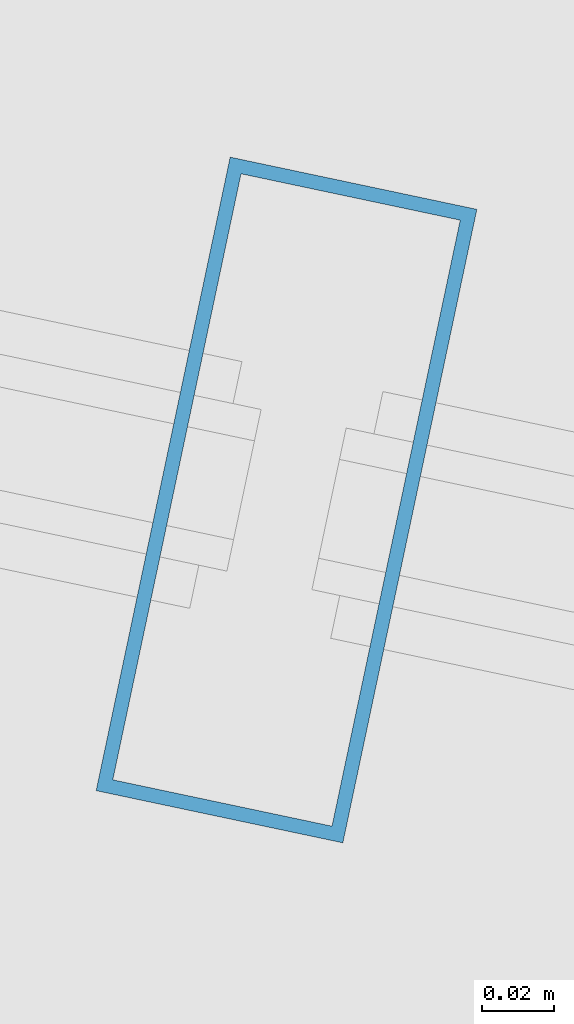
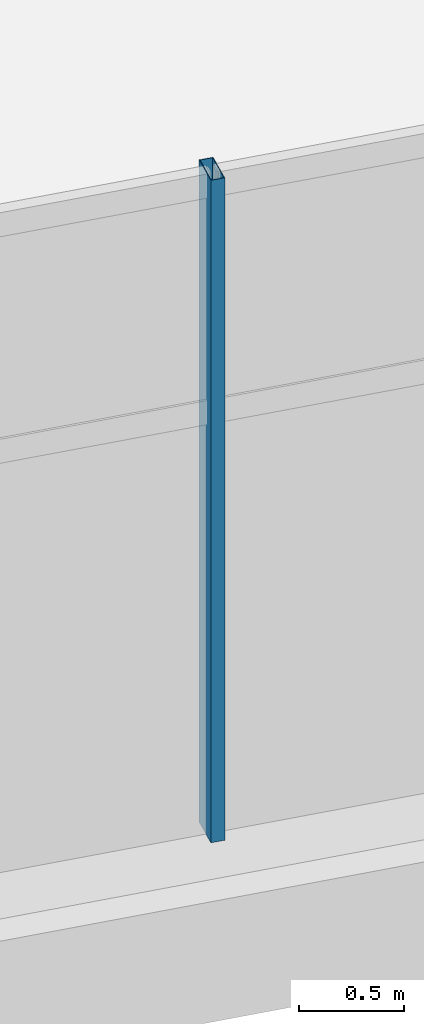
# One storey, part 13 of 156: 1 member, 1 element without a shape of its own.
"""IFC4 building model written with IfcOpenShell, lengths in metres."""

from ifc_helpers import new_model, si_unit, direction, frame, origin, origin_2d, place, context, subcontext, project, spatial, hollow_rectangle, extrude, material, layer, layer_set, material_profile, profile_set, type_object, element, aggregate, save


model = new_model("IFC4")

# Units and contexts
model_context = context("Model", 3, precision=1e-05, world=origin(), true_north=direction((0.0, 1.0)))
body_context = subcontext(model_context, "Body", "Model", "MODEL_VIEW")
ifc_project = project(units=[si_unit("LENGTHUNIT", "METRE"), si_unit("AREAUNIT", "SQUARE_METRE"), si_unit("VOLUMEUNIT", "CUBIC_METRE"), si_unit("PLANEANGLEUNIT", "RADIAN"), si_unit("MASSUNIT", "GRAM", prefix="KILO")], contexts=[model_context])

# Site, building, storey
site_placement = place(None, origin())
site = spatial("IfcSite", under=ifc_project, at=site_placement, CompositionType="ELEMENT")
building_placement = place(site_placement, origin())
building = spatial("IfcBuilding", under=site, at=building_placement, Name="Kazemori Nagisa Stadium", CompositionType="ELEMENT")
storey_placement = place(building_placement, frame((0.0, 0.0, 5.780029296875)))
storey = spatial("IfcBuildingStorey", under=building, at=storey_placement, Name="L01", CompositionType="ELEMENT", Elevation=5.780029296875)

# Curtain wall, member
ifc_material_1 = material(Name="Anodised aluminium 6063-T5", Category="aluminium")
ifc_layer = layer(ifc_material_1, 0.179931640625, Name="Anodised aluminium 6063-T5", Category="aluminium")
ifc_layer_set = layer_set([ifc_layer], Name="Anodised aluminium 6063-T5")
curtain_wall_type = type_object("IfcCurtainWallType", Name="CW_L01R3_105", PredefinedType="USERDEFINED", material=ifc_layer_set)
curtain_wall_placement = place(storey_placement, origin())
curtain_wall = element("IfcCurtainWall", 1, at=curtain_wall_placement, inside=storey, type_object=curtain_wall_type, Name="Unitised curtain wall CW-L01R3-105 L01", ObjectType="UNITISED CURTAIN WALL", PredefinedType="USERDEFINED")
ifc_material_2 = material(Name="Aluminium 6063-T5 anodised", Category="aluminium")
ifc_material_profile = material_profile(ifc_material_2, hollow_rectangle(XDim=0.070068359375, YDim=0.179931640625, WallThickness=0.00390625, at=origin_2d()), Name="ALU-MULL-70x180x4")
ifc_profile_set = profile_set([ifc_material_profile], Name="Aluminium 6063-T5 anodised")
member_type = type_object("IfcMemberType", Name="Mullion_M01", PredefinedType="MULLION", material=ifc_profile_set)
member_placement = place(storey_placement, frame((87.475830078125, 19.995361328125, 0.0), z_axis=(0.0, 0.0, 1.0), x_axis=(0.978344955407, -0.206981033502, 0.0)))
member = element("IfcMember", 2, at=member_placement, type_object=member_type, Name="Curtain wall mullion CW-L01R3-105-M2", PredefinedType="MULLION", context=body_context, shape_type="SweptSolid", body=[
    extrude(hollow_rectangle(XDim=0.070068359375, YDim=0.179931640625, WallThickness=0.00390625, at=origin_2d()), origin(), (0.0, 0.0, 1.0), 3.849853515625),
])
aggregate(curtain_wall, [member])

save(model, "model.ifc")
